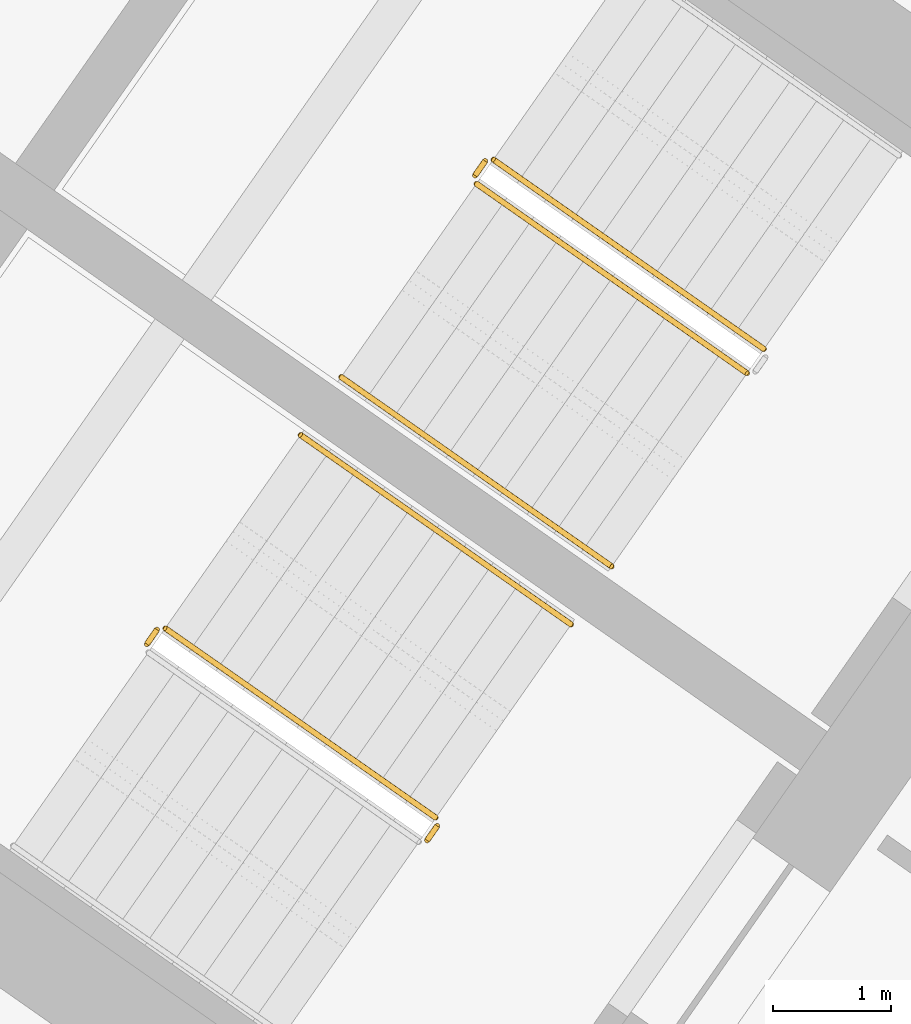
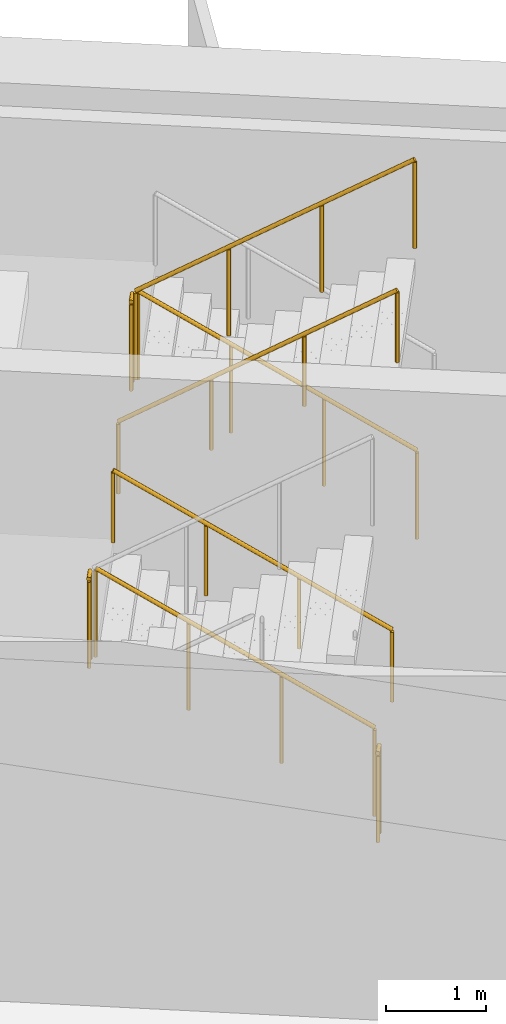
# One storey, part 21 of 24: 8 railings.
"""IFC4 building model written with IfcOpenShell, lengths in metres."""

from ifc_helpers import new_model, si_unit, direction, frame, origin, origin_2d, place, context, subcontext, project, spatial, circle, extrude, material, type_object, element, save


model = new_model("IFC4")

# Units and contexts
model_context = context("Model", 3, precision=1e-05, world=origin(), true_north=direction((0.0, 1.0)))
body_context = subcontext(model_context, "Body", "Model", "MODEL_VIEW")
ifc_project = project(units=[si_unit("LENGTHUNIT", "METRE"), si_unit("AREAUNIT", "SQUARE_METRE"), si_unit("VOLUMEUNIT", "CUBIC_METRE"), si_unit("PLANEANGLEUNIT", "RADIAN"), si_unit("MASSUNIT", "GRAM", prefix="KILO")], contexts=[model_context])

# Site, building, storey
site_placement = place(None, origin())
site = spatial("IfcSite", under=ifc_project, at=site_placement, CompositionType="ELEMENT")
building_placement = place(site_placement, origin())
building = spatial("IfcBuilding", under=site, at=building_placement, Name="Tel Ilan Convention Tower", CompositionType="ELEMENT")
storey_placement = place(building_placement, frame((0.0, 0.0, 132.0)))
storey = spatial("IfcBuildingStorey", under=building, at=storey_placement, Name="L29", CompositionType="ELEMENT", Elevation=132.0)

# Railings
ifc_material_1 = material(Name="Stainless Steel Grade 316", Category="steel")
railing_type_1 = type_object("IfcRailingType", Name="Stainless Steel Stair Guard 1100 mm", PredefinedType="GUARDRAIL", material=ifc_material_1)
railing_1_placement = place(storey_placement, frame((23.6787109375, -7.8515625, 0.17724609375)))
element("IfcRailing", 1, at=railing_1_placement, inside=storey, type_object=railing_type_1, Name="L29 S3 stair guard 1", PredefinedType="GUARDRAIL", context=body_context, shape_type="SweptSolid", body=[
    extrude(circle(Radius=0.02392578125, at=origin_2d()), frame((0.0, 0.0, 1.076171875), z_axis=(-0.692084706163, 0.484621375041, 0.534940073605), x_axis=(-0.573591086599, -0.819141785879, 0.0)), (0.0, 0.0, 1.0), 3.313720703125),
    extrude(circle(Radius=0.02099609375, at=origin_2d()), origin(), (0.0, 0.0, 1.0), 1.052001953125),
    extrude(circle(Radius=0.02099609375, at=origin_2d()), frame((-0.764404296875, 0.535400390625, 0.5908203125)), (0.0, 0.0, 1.0), 1.052001953125),
    extrude(circle(Radius=0.02099609375, at=origin_2d()), frame((-1.529052734375, 1.070556640625, 1.181884765625)), (0.0, 0.0, 1.0), 1.052001953125),
    extrude(circle(Radius=0.02099609375, at=origin_2d()), frame((-2.29345703125, 1.60595703125, 1.772705078125)), (0.0, 0.0, 1.0), 1.052001953125),
])
railing_2_placement = place(storey_placement, frame((21.3154296875, -6.2578125, 1.949951171875)))
element("IfcRailing", 2, at=railing_2_placement, inside=storey, type_object=railing_type_1, Name="L29 S3 stair guard 2", PredefinedType="GUARDRAIL", context=body_context, shape_type="SweptSolid", body=[
    extrude(circle(Radius=0.02392578125, at=origin_2d()), frame((0.0, 0.0, 1.076171875), z_axis=(-0.573353020881, -0.819308436089, 0.0), x_axis=(0.819308436089, -0.573353020881, 0.0)), (0.0, 0.0, 1.0), 0.14990234375),
    extrude(circle(Radius=0.02099609375, at=origin_2d()), origin(), (0.0, 0.0, 1.0), 1.052001953125),
    extrude(circle(Radius=0.02099609375, at=origin_2d()), frame((-0.0859375, -0.122802734375, 0.0)), (0.0, 0.0, 1.0), 1.052001953125),
])
railing_3_placement = place(storey_placement, frame((21.24169921875, -6.4501953125, 2.127197265625)))
element("IfcRailing", 3, at=railing_3_placement, inside=storey, type_object=railing_type_1, Name="L29 S3 stair guard 3", PredefinedType="GUARDRAIL", context=body_context, shape_type="SweptSolid", body=[
    extrude(circle(Radius=0.02392578125, at=origin_2d()), frame((0.0, 0.0, 1.076171875), z_axis=(0.692098378994, -0.484653031975, 0.534893701956), x_axis=(0.573608623498, 0.819129505664, 0.0)), (0.0, 0.0, 1.0), 3.314208984375),
    extrude(circle(Radius=0.02099609375, at=origin_2d()), origin(), (0.0, 0.0, 1.0), 1.052001953125),
    extrude(circle(Radius=0.02099609375, at=origin_2d()), frame((0.7646484375, -0.535400390625, 0.5908203125)), (0.0, 0.0, 1.0), 1.052001953125),
    extrude(circle(Radius=0.02099609375, at=origin_2d()), frame((1.529052734375, -1.07080078125, 1.181884765625)), (0.0, 0.0, 1.0), 1.052001953125),
    extrude(circle(Radius=0.02099609375, at=origin_2d()), frame((2.293701171875, -1.606201171875, 1.772705078125)), (0.0, 0.0, 1.0), 1.052001953125),
])
railing_4_placement = place(storey_placement, frame((20.89697265625, -11.824462890625, 0.17724609375)))
element("IfcRailing", 4, at=railing_4_placement, inside=storey, type_object=railing_type_1, Name="L29 S4 stair guard 1", PredefinedType="GUARDRAIL", context=body_context, shape_type="SweptSolid", body=[
    extrude(circle(Radius=0.02392578125, at=origin_2d()), frame((0.0, 0.0, 1.076171875), z_axis=(-0.692123088272, 0.484596665743, 0.534912798717), x_axis=(-0.573550118428, -0.819170471667, 0.0)), (0.0, 0.0, 1.0), 3.31396484375),
    extrude(circle(Radius=0.02099609375, at=origin_2d()), origin(), (0.0, 0.0, 1.0), 1.052001953125),
    extrude(circle(Radius=0.02099609375, at=origin_2d()), frame((-0.7646484375, 0.535400390625, 0.5908203125)), (0.0, 0.0, 1.0), 1.052001953125),
    extrude(circle(Radius=0.02099609375, at=origin_2d()), frame((-1.529052734375, 1.070556640625, 1.181884765625)), (0.0, 0.0, 1.0), 1.052001953125),
    extrude(circle(Radius=0.02099609375, at=origin_2d()), frame((-2.293701171875, 1.60595703125, 1.772705078125)), (0.0, 0.0, 1.0), 1.052001953125),
])
for number, where, name in (
    (5, (18.53369140625, -10.230712890625, 1.949951171875), "L29 S4 stair guard 2"),
    (6, (20.9091796875, -11.89404296875, 0.0), "L29 S4 stair guard 4"),
):
    element("IfcRailing", number, at=place(storey_placement, frame(where)), inside=storey, type_object=railing_type_1, Name=name, PredefinedType="GUARDRAIL", context=body_context, shape_type="SweptSolid", body=[
        extrude(circle(Radius=0.02392578125, at=origin_2d()), frame((0.0, 0.0, 1.076171875), z_axis=(-0.573353020881, -0.819308436089, 0.0), x_axis=(0.819308436089, -0.573353020881, 0.0)), (0.0, 0.0, 1.0), 0.14990234375),
        extrude(circle(Radius=0.02099609375, at=origin_2d()), origin(), (0.0, 0.0, 1.0), 1.052001953125),
        extrude(circle(Radius=0.02099609375, at=origin_2d()), frame((-0.0859375, -0.122802734375, 0.0)), (0.0, 0.0, 1.0), 1.052001953125),
    ])
ifc_material_2 = material(Name="Stainless Steel Grade 316", Category="steel")
railing_type_2 = type_object("IfcRailingType", Name="Stainless Steel Stair Handrail 900 mm", PredefinedType="HANDRAIL", material=ifc_material_2)
railing_5_placement = place(storey_placement, frame((20.0947265625, -8.088623046875, 2.127197265625)))
element("IfcRailing", 7, at=railing_5_placement, inside=storey, type_object=railing_type_2, Name="L29 S3 stair handrail 2", PredefinedType="HANDRAIL", context=body_context, shape_type="SweptSolid", body=[
    extrude(circle(Radius=0.02392578125, at=origin_2d()), frame((0.0, 0.0, 0.8759765625), z_axis=(0.692084706163, -0.484621375041, 0.534940073605), x_axis=(0.573591086599, 0.819141785879, 0.0)), (0.0, 0.0, 1.0), 3.313720703125),
    extrude(circle(Radius=0.02099609375, at=origin_2d()), origin(), (0.0, 0.0, 1.0), 0.851806640625),
    extrude(circle(Radius=0.02099609375, at=origin_2d()), frame((0.764404296875, -0.535400390625, 0.5908203125)), (0.0, 0.0, 1.0), 0.851806640625),
    extrude(circle(Radius=0.02099609375, at=origin_2d()), frame((1.529052734375, -1.070556640625, 1.181884765625)), (0.0, 0.0, 1.0), 0.851806640625),
    extrude(circle(Radius=0.02099609375, at=origin_2d()), frame((2.29345703125, -1.60595703125, 1.772705078125)), (0.0, 0.0, 1.0), 0.851806640625),
])
railing_6_placement = place(storey_placement, frame((22.044189453125, -10.18603515625, 0.17724609375)))
element("IfcRailing", 8, at=railing_6_placement, inside=storey, type_object=railing_type_2, Name="L29 S4 stair handrail 1", PredefinedType="HANDRAIL", context=body_context, shape_type="SweptSolid", body=[
    extrude(circle(Radius=0.02392578125, at=origin_2d()), frame((0.0, 0.0, 0.8759765625), z_axis=(-0.692123088272, 0.484596665743, 0.534912798717), x_axis=(-0.573550118428, -0.819170471667, 0.0)), (0.0, 0.0, 1.0), 3.31396484375),
    extrude(circle(Radius=0.02099609375, at=origin_2d()), origin(), (0.0, 0.0, 1.0), 0.851806640625),
    extrude(circle(Radius=0.02099609375, at=origin_2d()), frame((-0.7646484375, 0.535400390625, 0.5908203125)), (0.0, 0.0, 1.0), 0.851806640625),
    extrude(circle(Radius=0.02099609375, at=origin_2d()), frame((-1.529052734375, 1.070556640625, 1.181884765625)), (0.0, 0.0, 1.0), 0.851806640625),
    extrude(circle(Radius=0.02099609375, at=origin_2d()), frame((-2.293701171875, 1.60595703125, 1.772705078125)), (0.0, 0.0, 1.0), 0.851806640625),
])

save(model, "model.ifc")
